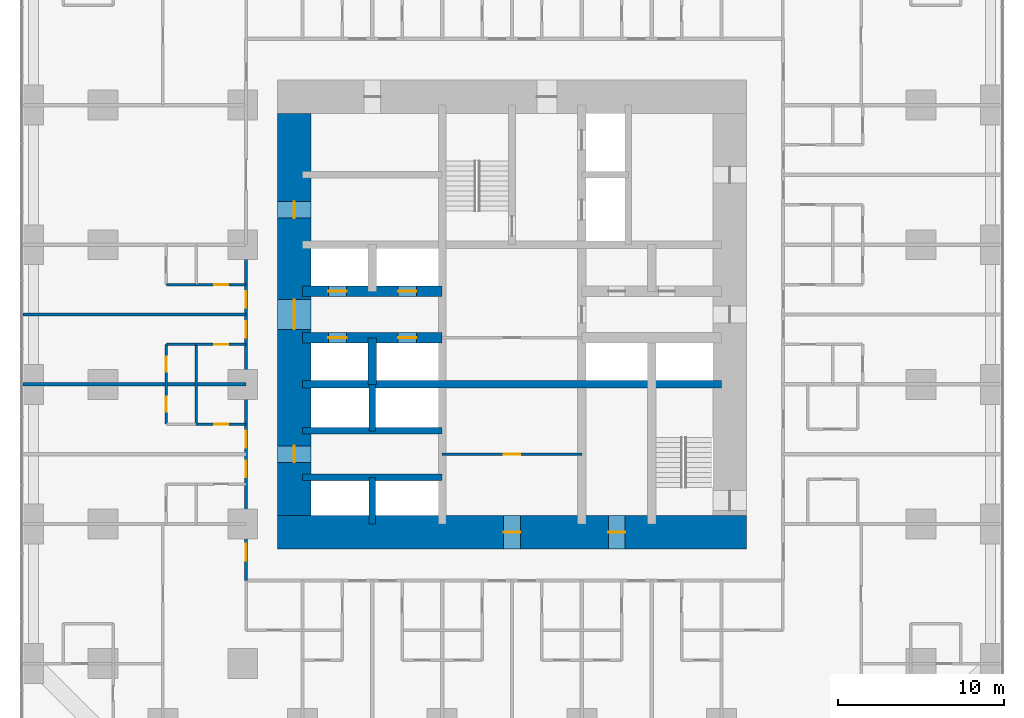
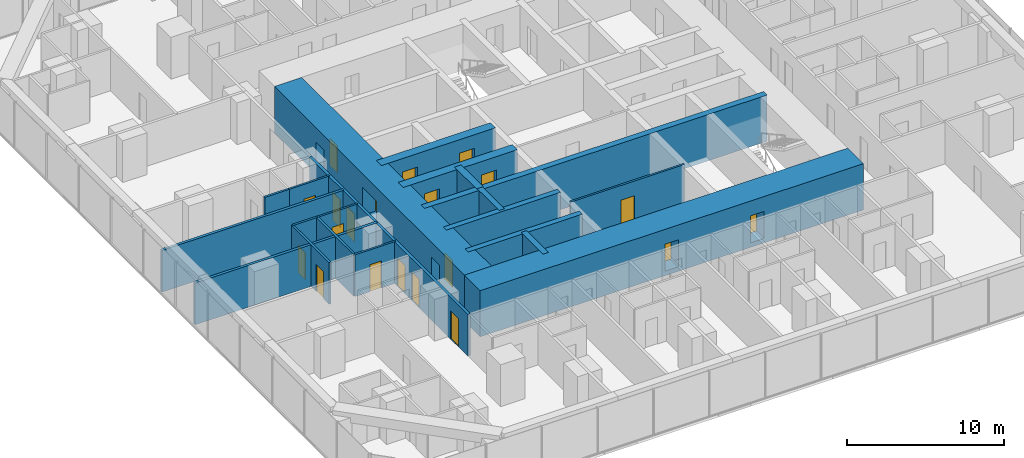
# One storey, part 12 of 18: 21 walls, 20 doors, 20 openings.
"""IFC4 building model written with IfcOpenShell, lengths in metres."""

from ifc_helpers import new_model, si_unit, direction, frame, frame_2d, origin, place, context, subcontext, project, spatial, rectangle, extrude, material, layer, layer_set, type_object, element, fill, save


model = new_model("IFC4")

# Units and contexts
model_context = context("Model", 3, precision=1e-05, world=origin(), true_north=direction((0.0, 1.0)))
body_context = subcontext(model_context, "Body", "Model", "MODEL_VIEW")
ifc_project = project(units=[si_unit("LENGTHUNIT", "METRE"), si_unit("AREAUNIT", "SQUARE_METRE"), si_unit("VOLUMEUNIT", "CUBIC_METRE"), si_unit("PLANEANGLEUNIT", "RADIAN"), si_unit("MASSUNIT", "GRAM", prefix="KILO")], contexts=[model_context])

# Site, building, storey
site_placement = place(None, origin())
site = spatial("IfcSite", under=ifc_project, at=site_placement, CompositionType="ELEMENT")
building_placement = place(site_placement, origin())
building = spatial("IfcBuilding", under=site, at=building_placement, Name="Dunama Terrace Hotel", CompositionType="ELEMENT")
storey_placement = place(building_placement, frame((0.0, 0.0, 27.0)))
storey = spatial("IfcBuildingStorey", under=building, at=storey_placement, Name="L05", CompositionType="ELEMENT", Elevation=27.0)

# Wall, opening, door
ifc_material_1 = material(Name="Gypsum board partition", Category="masonry")
ifc_layer_1 = layer(ifc_material_1, 0.14990234375)
ifc_layer_set_1 = layer_set([ifc_layer_1], Name="Bathroom partition 150")
wall_type_1 = type_object("IfcWallType", Name="Bathroom partition 150", PredefinedType="PARTITIONING", material=ifc_layer_set_1)
wall_1_placement = place(storey_placement, frame((10.39990234375, 22.800048828125, 0.0), z_axis=(0.0, 0.0, 1.0), x_axis=(1.0, 0.0, 0.0)))
wall_1 = element("IfcWall", 1, at=wall_1_placement, inside=storey, type_object=wall_type_1, Name="Bathroom partition 150 L05", PredefinedType="PARTITIONING", context=body_context, shape_type="SweptSolid", body=[
    extrude(rectangle(XDim=3.0, YDim=0.14990234375, at=frame_2d((1.5, 0.0))), origin(), (0.0, 0.0, 1.0), 3.25),
])
opening_1_placement = place(wall_1_placement, frame((1.074951171875, 0.0, 0.0)))
opening_1 = element("IfcOpeningElement", 2, at=opening_1_placement, cuts=wall_1, Name="Opening L05-065", PredefinedType="OPENING", context=body_context, shape_type="SweptSolid", body=[
    extrude(rectangle(XDim=0.85009765625, YDim=2.10009765625, at=frame_2d((0.425048828125, 1.050048828125))), frame((0.0, 0.0849609375, 0.0), z_axis=(0.0, -1.0, 0.0), x_axis=(1.0, 0.0, 0.0)), (0.0, 0.0, 1.0), 0.169921875),
])
ifc_material_2 = material(Name="Timber door with steel frame", Category="steel")
door_type_1 = type_object("IfcDoorType", Name="Bathroom door 850", OperationType="SINGLE_SWING_LEFT", PredefinedType="DOOR", material=ifc_material_2)
door_1_placement = place(opening_1_placement, origin())
door_1 = element("IfcDoor", 3, at=door_1_placement, inside=storey, type_object=door_type_1, Name="Door to en-suite bathroom L05-065, type D2", OperationType="SINGLE_SWING_RIGHT", OverallHeight=2.10009765625, OverallWidth=0.85009765625, PredefinedType="DOOR", context=body_context, shape_type="SweptSolid", body=[
    extrude(rectangle(XDim=0.85009765625, YDim=2.10009765625, at=frame_2d((0.425048828125, 1.050048828125))), frame((0.0, 0.02490234375, 0.0), z_axis=(0.0, -1.0, 0.0), x_axis=(1.0, 0.0, 0.0)), (0.0, 0.0, 1.0), 0.050048828125),
])
fill(opening_1, door_1)

wall_2_placement = place(storey_placement, frame((10.39990234375, 27.60009765625, 0.0), z_axis=(0.0, 0.0, 1.0), x_axis=(1.0, 0.0, 0.0)))
wall_2 = element("IfcWall", 4, at=wall_2_placement, inside=storey, type_object=wall_type_1, Name="Bathroom partition 150 L05", PredefinedType="PARTITIONING", context=body_context, shape_type="SweptSolid", body=[
    extrude(rectangle(XDim=3.0, YDim=0.14990234375, at=frame_2d((1.5, 0.0))), origin(), (0.0, 0.0, 1.0), 3.25),
])
opening_2_placement = place(wall_2_placement, frame((1.074951171875, 0.0, 0.0)))
opening_2 = element("IfcOpeningElement", 5, at=opening_2_placement, cuts=wall_2, Name="Opening L05-068", PredefinedType="OPENING", context=body_context, shape_type="SweptSolid", body=[
    extrude(rectangle(XDim=0.85009765625, YDim=2.10009765625, at=frame_2d((0.425048828125, 1.050048828125))), frame((0.0, 0.0849609375, 0.0), z_axis=(0.0, -1.0, 0.0), x_axis=(1.0, 0.0, 0.0)), (0.0, 0.0, 1.0), 0.169921875),
])
door_2_placement = place(opening_2_placement, frame((0.85009765625, 0.0, 0.0), z_axis=(0.0, 0.0, 1.0), x_axis=(-1.0, 0.0, 0.0)))
door_2 = element("IfcDoor", 6, at=door_2_placement, inside=storey, type_object=door_type_1, Name="Door to en-suite bathroom L05-068, type D2", OperationType="SINGLE_SWING_LEFT", OverallHeight=2.10009765625, OverallWidth=0.85009765625, PredefinedType="DOOR", context=body_context, shape_type="SweptSolid", body=[
    extrude(rectangle(XDim=0.85009765625, YDim=2.10009765625, at=frame_2d((0.425048828125, 1.050048828125))), frame((0.0, 0.025146484375, 0.0), z_axis=(0.0, -1.0, 0.0), x_axis=(1.0, 0.0, 0.0)), (0.0, 0.0, 1.0), 0.050048828125),
])
fill(opening_2, door_2)

wall_3_placement = place(storey_placement, frame((10.39990234375, 31.199951171875, 0.0), z_axis=(0.0, 0.0, 1.0), x_axis=(1.0, 0.0, 0.0)))
wall_3 = element("IfcWall", 7, at=wall_3_placement, inside=storey, type_object=wall_type_1, Name="Bathroom partition 150 L05", PredefinedType="PARTITIONING", context=body_context, shape_type="SweptSolid", body=[
    extrude(rectangle(XDim=3.0, YDim=0.14990234375, at=frame_2d((1.5, 0.0))), origin(), (0.0, 0.0, 1.0), 3.25),
])
opening_3_placement = place(wall_3_placement, frame((1.074951171875, 0.0, 0.0)))
opening_3 = element("IfcOpeningElement", 8, at=opening_3_placement, cuts=wall_3, Name="Opening L05-071", PredefinedType="OPENING", context=body_context, shape_type="SweptSolid", body=[
    extrude(rectangle(XDim=0.85009765625, YDim=2.10009765625, at=frame_2d((0.425048828125, 1.050048828125))), frame((0.0, 0.0849609375, 0.0), z_axis=(0.0, -1.0, 0.0), x_axis=(1.0, 0.0, 0.0)), (0.0, 0.0, 1.0), 0.169921875),
])
door_3_placement = place(opening_3_placement, origin())
door_3 = element("IfcDoor", 9, at=door_3_placement, inside=storey, type_object=door_type_1, Name="Door to en-suite bathroom L05-071, type D2", OperationType="SINGLE_SWING_RIGHT", OverallHeight=2.10009765625, OverallWidth=0.85009765625, PredefinedType="DOOR", context=body_context, shape_type="SweptSolid", body=[
    extrude(rectangle(XDim=0.85009765625, YDim=2.10009765625, at=frame_2d((0.425048828125, 1.050048828125))), frame((0.0, 0.02490234375, 0.0), z_axis=(0.0, -1.0, 0.0), x_axis=(1.0, 0.0, 0.0)), (0.0, 0.0, 1.0), 0.050048828125),
])
fill(opening_3, door_3)

# Walls
ifc_material_3 = material(Name="Concrete C50/60", Category="concrete")
ifc_layer_2 = layer(ifc_material_3, 0.39990234375)
ifc_layer_set_2 = layer_set([ifc_layer_2], Name="Core inner wall 400")
wall_type_2 = type_object("IfcWallType", Name="Core inner wall 400", PredefinedType="SHEAR", material=ifc_layer_set_2)
for number, where, z_axis, x_axis, name in (
    (10, (21.0, 16.800048828125, -0.35009765625), (0.0, 0.0, 1.0), (0.0, 1.0, 0.0), "Core inner wall 400 L05"),
    (11, (21.0, 22.39990234375, -0.35009765625), (0.0, 0.0, 1.0), (0.0, 1.0, 0.0), "Core inner wall 400 L05"),
):
    element("IfcWall", number, at=place(storey_placement, frame(where, z_axis=z_axis, x_axis=x_axis)), inside=storey, type_object=wall_type_2, Name=name, PredefinedType="SHEAR", context=body_context, shape_type="SweptSolid", body=[
        extrude(rectangle(XDim=2.800048828125, YDim=0.39990234375, at=frame_2d((1.39990234375, 0.0))), origin(), (0.0, 0.0, 1.0), 3.60009765625),
    ])
for number, where, z_axis, x_axis, name in (
    (12, (16.800048828125, 19.60009765625, -0.35009765625), (0.0, 0.0, 1.0), (1.0, 0.0, 0.0), "Core inner wall 400 L05"),
    (13, (16.800048828125, 22.39990234375, -0.35009765625), (0.0, 0.0, 1.0), (1.0, 0.0, 0.0), "Core inner wall 400 L05"),
):
    element("IfcWall", number, at=place(storey_placement, frame(where, z_axis=z_axis, x_axis=x_axis)), inside=storey, type_object=wall_type_2, Name=name, PredefinedType="SHEAR", context=body_context, shape_type="SweptSolid", body=[
        extrude(rectangle(XDim=8.39990234375, YDim=0.39990234375, at=frame_2d((4.199951171875, 0.0))), origin(), (0.0, 0.0, 1.0), 3.60009765625),
    ])
ifc_material_4 = material(Name="Concrete C50/60", Category="concrete")
ifc_layer_3 = layer(ifc_material_4, 0.449951171875)
ifc_layer_set_3 = layer_set([ifc_layer_3], Name="Core inner wall 450")
wall_type_3 = type_object("IfcWallType", Name="Core inner wall 450", PredefinedType="SHEAR", material=ifc_layer_set_3)
wall_4_placement = place(storey_placement, frame((16.800048828125, 25.199951171875, -0.35009765625), z_axis=(0.0, 0.0, 1.0), x_axis=(1.0, 0.0, 0.0)))
element("IfcWall", 14, at=wall_4_placement, inside=storey, type_object=wall_type_3, Name="Core inner wall 450 L05", PredefinedType="SHEAR", context=body_context, shape_type="SweptSolid", body=[
    extrude(rectangle(XDim=25.199951171875, YDim=0.449951171875, at=frame_2d((12.60009765625, 0.0))), origin(), (0.0, 0.0, 1.0), 3.60009765625),
])
ifc_material_5 = material(Name="Concrete C50/60", Category="concrete")
ifc_layer_4 = layer(ifc_material_5, 0.5)
ifc_layer_set_4 = layer_set([ifc_layer_4], Name="Core inner wall 500")
wall_type_4 = type_object("IfcWallType", Name="Core inner wall 500", PredefinedType="SHEAR", material=ifc_layer_set_4)
wall_5_placement = place(storey_placement, frame((21.0, 25.199951171875, -0.35009765625), z_axis=(0.0, 0.0, 1.0), x_axis=(0.0, 1.0, 0.0)))
element("IfcWall", 15, at=wall_5_placement, inside=storey, type_object=wall_type_4, Name="Core inner wall 500 L05", PredefinedType="SHEAR", context=body_context, shape_type="SweptSolid", body=[
    extrude(rectangle(XDim=2.800048828125, YDim=0.5, at=frame_2d((1.39990234375, 0.0))), origin(), (0.0, 0.0, 1.0), 3.60009765625),
])

# Wall, openings, doors
ifc_material_6 = material(Name="Concrete C50/60", Category="concrete")
ifc_layer_5 = layer(ifc_material_6, 0.64990234375)
ifc_layer_set_5 = layer_set([ifc_layer_5], Name="Core inner wall 650")
wall_type_5 = type_object("IfcWallType", Name="Core inner wall 650", PredefinedType="SHEAR", material=ifc_layer_set_5)
wall_6_placement = place(storey_placement, frame((16.800048828125, 28.0, -0.35009765625), z_axis=(0.0, 0.0, 1.0), x_axis=(1.0, 0.0, 0.0)))
wall_6 = element("IfcWall", 16, at=wall_6_placement, inside=storey, type_object=wall_type_5, Name="Core inner wall 650 L05", PredefinedType="SHEAR", context=body_context, shape_type="SweptSolid", body=[
    extrude(rectangle(XDim=8.39990234375, YDim=0.64990234375, at=frame_2d((4.199951171875, 0.0))), origin(), (0.0, 0.0, 1.0), 3.60009765625),
])
opening_4_placement = place(wall_6_placement, frame((1.550048828125, 0.0, 0.35009765625)))
opening_4 = element("IfcOpeningElement", 17, at=opening_4_placement, cuts=wall_6, Name="Opening L05-003", PredefinedType="OPENING", context=body_context, shape_type="SweptSolid", body=[
    extrude(rectangle(XDim=1.10009765625, YDim=2.199951171875, at=frame_2d((0.550048828125, 1.10009765625))), frame((0.0, 0.3349609375, 0.0), z_axis=(0.0, -1.0, 0.0), x_axis=(1.0, 0.0, 0.0)), (0.0, 0.0, 1.0), 0.669921875),
])
opening_5_placement = place(wall_6_placement, frame((5.75, 0.0, 0.35009765625)))
opening_5 = element("IfcOpeningElement", 18, at=opening_5_placement, cuts=wall_6, Name="Opening L05-004", PredefinedType="OPENING", context=body_context, shape_type="SweptSolid", body=[
    extrude(rectangle(XDim=1.10009765625, YDim=2.199951171875, at=frame_2d((0.550048828125, 1.10009765625))), frame((0.0, 0.3349609375, 0.0), z_axis=(0.0, -1.0, 0.0), x_axis=(1.0, 0.0, 0.0)), (0.0, 0.0, 1.0), 0.669921875),
])
ifc_material_7 = material(Name="Stainless steel lift door", Category="steel")
door_type_2 = type_object("IfcDoorType", Name="Lift landing door 1100", OperationType="DOUBLE_DOOR_SLIDING", PredefinedType="DOOR", material=ifc_material_7)
door_4_placement = place(opening_4_placement, origin())
door_4 = element("IfcDoor", 19, at=door_4_placement, inside=storey, type_object=door_type_2, Name="Landing door PA1 L05-003, type LD1", OperationType="DOUBLE_DOOR_SLIDING", OverallHeight=2.199951171875, OverallWidth=1.10009765625, PredefinedType="DOOR", context=body_context, shape_type="SweptSolid", body=[
    extrude(rectangle(XDim=1.10009765625, YDim=2.199951171875, at=frame_2d((0.550048828125, 1.10009765625))), frame((0.0, 0.02490234375, 0.0), z_axis=(0.0, -1.0, 0.0), x_axis=(1.0, 0.0, 0.0)), (0.0, 0.0, 1.0), 0.050048828125),
])
fill(opening_4, door_4)
door_5_placement = place(opening_5_placement, origin())
door_5 = element("IfcDoor", 20, at=door_5_placement, inside=storey, type_object=door_type_2, Name="Landing door PA2 L05-004, type LD1", OperationType="DOUBLE_DOOR_SLIDING", OverallHeight=2.199951171875, OverallWidth=1.10009765625, PredefinedType="DOOR", context=body_context, shape_type="SweptSolid", body=[
    extrude(rectangle(XDim=1.10009765625, YDim=2.199951171875, at=frame_2d((0.550048828125, 1.10009765625))), frame((0.0, 0.02490234375, 0.0), z_axis=(0.0, -1.0, 0.0), x_axis=(1.0, 0.0, 0.0)), (0.0, 0.0, 1.0), 0.050048828125),
])
fill(opening_5, door_5)

wall_7_placement = place(storey_placement, frame((16.800048828125, 30.800048828125, -0.35009765625), z_axis=(0.0, 0.0, 1.0), x_axis=(1.0, 0.0, 0.0)))
wall_7 = element("IfcWall", 21, at=wall_7_placement, inside=storey, type_object=wall_type_5, Name="Core inner wall 650 L05", PredefinedType="SHEAR", context=body_context, shape_type="SweptSolid", body=[
    extrude(rectangle(XDim=8.39990234375, YDim=0.64990234375, at=frame_2d((4.199951171875, 0.0))), origin(), (0.0, 0.0, 1.0), 3.60009765625),
])
opening_6_placement = place(wall_7_placement, frame((1.550048828125, 0.0, 0.35009765625)))
opening_6 = element("IfcOpeningElement", 22, at=opening_6_placement, cuts=wall_7, Name="Opening L05-005", PredefinedType="OPENING", context=body_context, shape_type="SweptSolid", body=[
    extrude(rectangle(XDim=1.10009765625, YDim=2.199951171875, at=frame_2d((0.550048828125, 1.10009765625))), frame((0.0, 0.3349609375, 0.0), z_axis=(0.0, -1.0, 0.0), x_axis=(1.0, 0.0, 0.0)), (0.0, 0.0, 1.0), 0.669921875),
])
opening_7_placement = place(wall_7_placement, frame((5.75, 0.0, 0.35009765625)))
opening_7 = element("IfcOpeningElement", 23, at=opening_7_placement, cuts=wall_7, Name="Opening L05-006", PredefinedType="OPENING", context=body_context, shape_type="SweptSolid", body=[
    extrude(rectangle(XDim=1.10009765625, YDim=2.199951171875, at=frame_2d((0.550048828125, 1.10009765625))), frame((0.0, 0.3349609375, 0.0), z_axis=(0.0, -1.0, 0.0), x_axis=(1.0, 0.0, 0.0)), (0.0, 0.0, 1.0), 0.669921875),
])
door_6_placement = place(opening_6_placement, origin())
door_6 = element("IfcDoor", 24, at=door_6_placement, inside=storey, type_object=door_type_2, Name="Landing door PA3 L05-005, type LD1", OperationType="DOUBLE_DOOR_SLIDING", OverallHeight=2.199951171875, OverallWidth=1.10009765625, PredefinedType="DOOR", context=body_context, shape_type="SweptSolid", body=[
    extrude(rectangle(XDim=1.10009765625, YDim=2.199951171875, at=frame_2d((0.550048828125, 1.10009765625))), frame((0.0, 0.02490234375, 0.0), z_axis=(0.0, -1.0, 0.0), x_axis=(1.0, 0.0, 0.0)), (0.0, 0.0, 1.0), 0.050048828125),
])
fill(opening_6, door_6)
door_7_placement = place(opening_7_placement, origin())
door_7 = element("IfcDoor", 25, at=door_7_placement, inside=storey, type_object=door_type_2, Name="Landing door PA4 L05-006, type LD1", OperationType="DOUBLE_DOOR_SLIDING", OverallHeight=2.199951171875, OverallWidth=1.10009765625, PredefinedType="DOOR", context=body_context, shape_type="SweptSolid", body=[
    extrude(rectangle(XDim=1.10009765625, YDim=2.199951171875, at=frame_2d((0.550048828125, 1.10009765625))), frame((0.0, 0.02490234375, 0.0), z_axis=(0.0, -1.0, 0.0), x_axis=(1.0, 0.0, 0.0)), (0.0, 0.0, 1.0), 0.050048828125),
])
fill(opening_7, door_7)

ifc_material_8 = material(Name="Concrete C60/75", Category="concrete")
ifc_layer_6 = layer(ifc_material_8, 2.0)
ifc_layer_set_6 = layer_set([ifc_layer_6], Name="Core wall 2000")
wall_type_6 = type_object("IfcWallType", Name="Core wall 2000", PredefinedType="SHEAR", material=ifc_layer_set_6)
wall_8_placement = place(storey_placement, frame((15.300048828125, 16.300048828125, -0.35009765625), z_axis=(0.0, 0.0, 1.0), x_axis=(1.0, 0.0, 0.0)))
wall_8 = element("IfcWall", 26, at=wall_8_placement, inside=storey, type_object=wall_type_6, Name="Core wall south L05", PredefinedType="SHEAR", context=body_context, shape_type="SweptSolid", body=[
    extrude(rectangle(XDim=28.199951171875, YDim=2.0, at=frame_2d((14.10009765625, 0.0))), origin(), (0.0, 0.0, 1.0), 3.60009765625),
])
opening_8_placement = place(wall_8_placement, frame((13.60009765625, 0.0, 0.35009765625)))
opening_8 = element("IfcOpeningElement", 27, at=opening_8_placement, cuts=wall_8, Name="Opening L05-109", PredefinedType="OPENING", context=body_context, shape_type="SweptSolid", body=[
    extrude(rectangle(XDim=1.0, YDim=2.10009765625, at=frame_2d((0.5, 1.050048828125))), frame((0.0, 1.010009765625, 0.0), z_axis=(0.0, -1.0, 0.0), x_axis=(1.0, 0.0, 0.0)), (0.0, 0.0, 1.0), 2.02001953125),
])
opening_9_placement = place(wall_8_placement, frame((19.89990234375, 0.0, 0.35009765625)))
opening_9 = element("IfcOpeningElement", 28, at=opening_9_placement, cuts=wall_8, Name="Opening L05-111", PredefinedType="OPENING", context=body_context, shape_type="SweptSolid", body=[
    extrude(rectangle(XDim=1.0, YDim=2.10009765625, at=frame_2d((0.5, 1.050048828125))), frame((0.0, 1.010009765625, 0.0), z_axis=(0.0, -1.0, 0.0), x_axis=(1.0, 0.0, 0.0)), (0.0, 0.0, 1.0), 2.02001953125),
])
ifc_material_9 = material(Name="Timber door with steel frame", Category="steel")
door_type_3 = type_object("IfcDoorType", Name="Service door 1000", OperationType="SINGLE_SWING_LEFT", PredefinedType="DOOR", material=ifc_material_9)
door_8_placement = place(opening_8_placement, origin())
door_8 = element("IfcDoor", 29, at=door_8_placement, inside=storey, type_object=door_type_3, Name="Door to corridor air handling room L05-109, type D7", OperationType="SINGLE_SWING_LEFT", OverallHeight=2.10009765625, OverallWidth=1.0, PredefinedType="DOOR", context=body_context, shape_type="SweptSolid", body=[
    extrude(rectangle(XDim=1.0, YDim=2.10009765625, at=frame_2d((0.5, 1.050048828125))), frame((0.0, 0.02490234375, 0.0), z_axis=(0.0, -1.0, 0.0), x_axis=(1.0, 0.0, 0.0)), (0.0, 0.0, 1.0), 0.050048828125),
])
fill(opening_8, door_8)
door_9_placement = place(opening_9_placement, origin())
door_9 = element("IfcDoor", 30, at=door_9_placement, inside=storey, type_object=door_type_3, Name="Door to water riser room L05-111, type D7", OperationType="SINGLE_SWING_RIGHT", OverallHeight=2.10009765625, OverallWidth=1.0, PredefinedType="DOOR", context=body_context, shape_type="SweptSolid", body=[
    extrude(rectangle(XDim=1.0, YDim=2.10009765625, at=frame_2d((0.5, 1.050048828125))), frame((0.0, 0.02490234375, 0.0), z_axis=(0.0, -1.0, 0.0), x_axis=(1.0, 0.0, 0.0)), (0.0, 0.0, 1.0), 0.050048828125),
])
fill(opening_9, door_9)

wall_9_placement = place(storey_placement, frame((16.300048828125, 41.5, -0.35009765625), z_axis=(0.0, 0.0, 1.0), x_axis=(0.0, -1.0, 0.0)))
wall_9 = element("IfcWall", 31, at=wall_9_placement, inside=storey, type_object=wall_type_6, Name="Core wall west L05", PredefinedType="SHEAR", context=body_context, shape_type="SweptSolid", body=[
    extrude(rectangle(XDim=24.199951171875, YDim=2.0, at=frame_2d((12.10009765625, 0.0))), origin(), (0.0, 0.0, 1.0), 3.60009765625),
])
opening_10_placement = place(wall_9_placement, frame((11.199951171875, 0.0, 0.35009765625)))
opening_10 = element("IfcOpeningElement", 32, at=opening_10_placement, cuts=wall_9, Name="Opening L05-098", PredefinedType="OPENING", context=body_context, shape_type="SweptSolid", body=[
    extrude(rectangle(XDim=1.800048828125, YDim=2.199951171875, at=frame_2d((0.89990234375, 1.10009765625))), frame((0.0, 1.010009765625, 0.0), z_axis=(0.0, -1.0, 0.0), x_axis=(1.0, 0.0, 0.0)), (0.0, 0.0, 1.0), 2.02001953125),
])
opening_11_placement = place(wall_9_placement, frame((20.0, 0.0, 0.35009765625)))
opening_11 = element("IfcOpeningElement", 33, at=opening_11_placement, cuts=wall_9, Name="Opening L05-099", PredefinedType="OPENING", context=body_context, shape_type="SweptSolid", body=[
    extrude(rectangle(XDim=1.0, YDim=2.10009765625, at=frame_2d((0.5, 1.050048828125))), frame((0.0, 1.010009765625, 0.0), z_axis=(0.0, -1.0, 0.0), x_axis=(1.0, 0.0, 0.0)), (0.0, 0.0, 1.0), 2.02001953125),
])
opening_12_placement = place(wall_9_placement, frame((5.300048828125, 0.0, 0.35009765625)))
opening_12 = element("IfcOpeningElement", 34, at=opening_12_placement, cuts=wall_9, Name="Opening L05-100", PredefinedType="OPENING", context=body_context, shape_type="SweptSolid", body=[
    extrude(rectangle(XDim=1.0, YDim=2.10009765625, at=frame_2d((0.5, 1.050048828125))), frame((0.0, 1.010009765625, 0.0), z_axis=(0.0, -1.0, 0.0), x_axis=(1.0, 0.0, 0.0)), (0.0, 0.0, 1.0), 2.02001953125),
])
ifc_material_10 = material(Name="Timber door with steel frame", Category="steel")
door_type_4 = type_object("IfcDoorType", Name="Lift lobby double door 1800", OperationType="DOUBLE_DOOR_DOUBLE_SWING", PredefinedType="DOOR", material=ifc_material_10)
door_10_placement = place(opening_10_placement, origin())
door_10 = element("IfcDoor", 35, at=door_10_placement, inside=storey, type_object=door_type_4, Name="Door to lift lobby L05-098, type D3", OperationType="DOUBLE_DOOR_DOUBLE_SWING", OverallHeight=2.199951171875, OverallWidth=1.800048828125, PredefinedType="DOOR", context=body_context, shape_type="SweptSolid", body=[
    extrude(rectangle(XDim=1.800048828125, YDim=2.199951171875, at=frame_2d((0.89990234375, 1.10009765625))), frame((0.0, 0.02490234375, 0.0), z_axis=(0.0, -1.0, 0.0), x_axis=(1.0, 0.0, 0.0)), (0.0, 0.0, 1.0), 0.050048828125),
])
fill(opening_10, door_10)
door_11_placement = place(opening_11_placement, origin())
door_11 = element("IfcDoor", 36, at=door_11_placement, inside=storey, type_object=door_type_3, Name="Door to service lobby L05-099, type D7", OperationType="SINGLE_SWING_LEFT", OverallHeight=2.10009765625, OverallWidth=1.0, PredefinedType="DOOR", context=body_context, shape_type="SweptSolid", body=[
    extrude(rectangle(XDim=1.0, YDim=2.10009765625, at=frame_2d((0.5, 1.050048828125))), frame((0.0, 0.02490234375, 0.0), z_axis=(0.0, -1.0, 0.0), x_axis=(1.0, 0.0, 0.0)), (0.0, 0.0, 1.0), 0.050048828125),
])
fill(opening_11, door_11)
door_12_placement = place(opening_12_placement, origin())
door_12 = element("IfcDoor", 37, at=door_12_placement, inside=storey, type_object=door_type_3, Name="Door to electrical room L05-100, type D7", OperationType="SINGLE_SWING_RIGHT", OverallHeight=2.10009765625, OverallWidth=1.0, PredefinedType="DOOR", context=body_context, shape_type="SweptSolid", body=[
    extrude(rectangle(XDim=1.0, YDim=2.10009765625, at=frame_2d((0.5, 1.050048828125))), frame((0.0, 0.02490234375, 0.0), z_axis=(0.0, -1.0, 0.0), x_axis=(1.0, 0.0, 0.0)), (0.0, 0.0, 1.0), 0.050048828125),
])
fill(opening_12, door_12)

ifc_material_11 = material(Name="Concrete blockwork", Category="masonry")
ifc_layer_7 = layer(ifc_material_11, 0.199951171875)
ifc_layer_set_7 = layer_set([ifc_layer_7], Name="Corridor partition 200")
wall_type_7 = type_object("IfcWallType", Name="Corridor partition 200", PredefinedType="PARTITIONING", material=ifc_layer_set_7)
wall_10_placement = place(storey_placement, frame((13.39990234375, 13.39990234375, 0.0), z_axis=(0.0, 0.0, 1.0), x_axis=(0.0, 1.0, 0.0)))
wall_10 = element("IfcWall", 38, at=wall_10_placement, inside=storey, type_object=wall_type_7, Name="Corridor partition 200 L05", PredefinedType="PARTITIONING", context=body_context, shape_type="SweptSolid", body=[
    extrude(rectangle(XDim=20.2001953125, YDim=0.199951171875, at=frame_2d((10.10009765625, 0.0))), origin(), (0.0, 0.0, 1.0), 3.25),
])
opening_13_placement = place(wall_10_placement, frame((6.199951171875, 0.0, 0.0)))
opening_13 = element("IfcOpeningElement", 39, at=opening_13_placement, cuts=wall_10, Name="Opening L05-061", PredefinedType="OPENING", context=body_context, shape_type="SweptSolid", body=[
    extrude(rectangle(XDim=1.0, YDim=2.199951171875, at=frame_2d((0.5, 1.10009765625))), frame((0.0, 0.10986328125, 0.0), z_axis=(0.0, -1.0, 0.0), x_axis=(1.0, 0.0, 0.0)), (0.0, 0.0, 1.0), 0.219970703125),
])
opening_14_placement = place(wall_10_placement, frame((8.0, 0.0, 0.0)))
opening_14 = element("IfcOpeningElement", 40, at=opening_14_placement, cuts=wall_10, Name="Opening L05-064", PredefinedType="OPENING", context=body_context, shape_type="SweptSolid", body=[
    extrude(rectangle(XDim=1.0, YDim=2.199951171875, at=frame_2d((0.5, 1.10009765625))), frame((0.0, 0.10986328125, 0.0), z_axis=(0.0, -1.0, 0.0), x_axis=(1.0, 0.0, 0.0)), (0.0, 0.0, 1.0), 0.219970703125),
])
opening_15_placement = place(wall_10_placement, frame((14.60009765625, 0.0, 0.0)))
opening_15 = element("IfcOpeningElement", 41, at=opening_15_placement, cuts=wall_10, Name="Opening L05-067", PredefinedType="OPENING", context=body_context, shape_type="SweptSolid", body=[
    extrude(rectangle(XDim=1.0, YDim=2.199951171875, at=frame_2d((0.5, 1.10009765625))), frame((0.0, 0.10986328125, 0.0), z_axis=(0.0, -1.0, 0.0), x_axis=(1.0, 0.0, 0.0)), (0.0, 0.0, 1.0), 0.219970703125),
])
opening_16_placement = place(wall_10_placement, frame((16.39990234375, 0.0, 0.0)))
opening_16 = element("IfcOpeningElement", 42, at=opening_16_placement, cuts=wall_10, Name="Opening L05-070", PredefinedType="OPENING", context=body_context, shape_type="SweptSolid", body=[
    extrude(rectangle(XDim=1.0, YDim=2.199951171875, at=frame_2d((0.5, 1.10009765625))), frame((0.0, 0.10986328125, 0.0), z_axis=(0.0, -1.0, 0.0), x_axis=(1.0, 0.0, 0.0)), (0.0, 0.0, 1.0), 0.219970703125),
])
opening_17_placement = place(wall_10_placement, frame((1.199951171875, 0.0, 0.0)))
opening_17 = element("IfcOpeningElement", 43, at=opening_17_placement, cuts=wall_10, Name="Opening L05-074", PredefinedType="OPENING", context=body_context, shape_type="SweptSolid", body=[
    extrude(rectangle(XDim=1.0, YDim=2.199951171875, at=frame_2d((0.5, 1.10009765625))), frame((0.0, 0.10986328125, 0.0), z_axis=(0.0, -1.0, 0.0), x_axis=(1.0, 0.0, 0.0)), (0.0, 0.0, 1.0), 0.219970703125),
])
ifc_material_12 = material(Name="Timber door with steel frame", Category="steel")
door_type_5 = type_object("IfcDoorType", Name="Guest room door 1000", OperationType="SINGLE_SWING_LEFT", PredefinedType="DOOR", material=ifc_material_12)
door_13_placement = place(opening_13_placement, origin())
door_13 = element("IfcDoor", 44, at=door_13_placement, inside=storey, type_object=door_type_5, Name="Door to deluxe room L05-061, type D1", OperationType="SINGLE_SWING_RIGHT", OverallHeight=2.199951171875, OverallWidth=1.0, PredefinedType="DOOR", context=body_context, shape_type="SweptSolid", body=[
    extrude(rectangle(XDim=1.0, YDim=2.199951171875, at=frame_2d((0.5, 1.10009765625))), frame((0.0, 0.02490234375, 0.0), z_axis=(0.0, -1.0, 0.0), x_axis=(1.0, 0.0, 0.0)), (0.0, 0.0, 1.0), 0.050048828125),
])
fill(opening_13, door_13)
door_14_placement = place(opening_14_placement, origin())
door_14 = element("IfcDoor", 45, at=door_14_placement, inside=storey, type_object=door_type_5, Name="Door to deluxe room L05-064, type D1", OperationType="SINGLE_SWING_LEFT", OverallHeight=2.199951171875, OverallWidth=1.0, PredefinedType="DOOR", context=body_context, shape_type="SweptSolid", body=[
    extrude(rectangle(XDim=1.0, YDim=2.199951171875, at=frame_2d((0.5, 1.10009765625))), frame((0.0, 0.02490234375, 0.0), z_axis=(0.0, -1.0, 0.0), x_axis=(1.0, 0.0, 0.0)), (0.0, 0.0, 1.0), 0.050048828125),
])
fill(opening_14, door_14)
door_15_placement = place(opening_15_placement, origin())
door_15 = element("IfcDoor", 46, at=door_15_placement, inside=storey, type_object=door_type_5, Name="Door to deluxe room L05-067, type D1", OperationType="SINGLE_SWING_RIGHT", OverallHeight=2.199951171875, OverallWidth=1.0, PredefinedType="DOOR", context=body_context, shape_type="SweptSolid", body=[
    extrude(rectangle(XDim=1.0, YDim=2.199951171875, at=frame_2d((0.5, 1.10009765625))), frame((0.0, 0.02490234375, 0.0), z_axis=(0.0, -1.0, 0.0), x_axis=(1.0, 0.0, 0.0)), (0.0, 0.0, 1.0), 0.050048828125),
])
fill(opening_15, door_15)
door_16_placement = place(opening_16_placement, origin())
door_16 = element("IfcDoor", 47, at=door_16_placement, inside=storey, type_object=door_type_5, Name="Door to deluxe room L05-070, type D1", OperationType="SINGLE_SWING_LEFT", OverallHeight=2.199951171875, OverallWidth=1.0, PredefinedType="DOOR", context=body_context, shape_type="SweptSolid", body=[
    extrude(rectangle(XDim=1.0, YDim=2.199951171875, at=frame_2d((0.5, 1.10009765625))), frame((0.0, 0.02490234375, 0.0), z_axis=(0.0, -1.0, 0.0), x_axis=(1.0, 0.0, 0.0)), (0.0, 0.0, 1.0), 0.050048828125),
])
fill(opening_16, door_16)
door_17_placement = place(opening_17_placement, origin())
door_17 = element("IfcDoor", 48, at=door_17_placement, inside=storey, type_object=door_type_5, Name="Door to corner suite living room L05-074, type D1", OperationType="SINGLE_SWING_RIGHT", OverallHeight=2.199951171875, OverallWidth=1.0, PredefinedType="DOOR", context=body_context, shape_type="SweptSolid", body=[
    extrude(rectangle(XDim=1.0, YDim=2.199951171875, at=frame_2d((0.5, 1.10009765625))), frame((0.0, 0.02490234375, 0.0), z_axis=(0.0, -1.0, 0.0), x_axis=(1.0, 0.0, 0.0)), (0.0, 0.0, 1.0), 0.050048828125),
])
fill(opening_17, door_17)

# Walls
ifc_material_13 = material(Name="Concrete blockwork", Category="masonry")
ifc_layer_8 = layer(ifc_material_13, 0.199951171875)
ifc_layer_set_8 = layer_set([ifc_layer_8], Name="Party wall 200")
wall_type_8 = type_object("IfcWallType", Name="Party wall 200", PredefinedType="PARTITIONING", material=ifc_layer_set_8)
for number, where, z_axis, x_axis, name in (
    (49, (-0.008056640625, 25.199951171875, 0.0), (0.0, 0.0, 1.0), (1.0, 0.0, 0.0), "Party wall 200 L05"),
    (50, (-0.008056640625, 29.39990234375, 0.0), (0.0, 0.0, 1.0), (1.0, 0.0, 0.0), "Party wall 200 L05"),
):
    element("IfcWall", number, at=place(storey_placement, frame(where, z_axis=z_axis, x_axis=x_axis)), inside=storey, type_object=wall_type_8, Name=name, PredefinedType="PARTITIONING", context=body_context, shape_type="SweptSolid", body=[
        extrude(rectangle(XDim=13.407958984375, YDim=0.199951171875, at=frame_2d((6.7041015625, 0.0))), origin(), (0.0, 0.0, 1.0), 3.25),
    ])

# Wall, openings, doors
ifc_material_14 = material(Name="Gypsum board partition", Category="masonry")
ifc_layer_9 = layer(ifc_material_14, 0.14990234375)
ifc_layer_set_9 = layer_set([ifc_layer_9], Name="Room partition 150")
wall_type_9 = type_object("IfcWallType", Name="Room partition 150", PredefinedType="PARTITIONING", material=ifc_layer_set_9)
wall_11_placement = place(storey_placement, frame((8.60009765625, 22.800048828125, 0.0), z_axis=(0.0, 0.0, 1.0), x_axis=(0.0, 1.0, 0.0)))
wall_11 = element("IfcWall", 51, at=wall_11_placement, inside=storey, type_object=wall_type_9, Name="Room partition 150 L05", PredefinedType="PARTITIONING", context=body_context, shape_type="SweptSolid", body=[
    extrude(rectangle(XDim=4.800048828125, YDim=0.14990234375, at=frame_2d((2.39990234375, 0.0))), origin(), (0.0, 0.0, 1.0), 3.25),
])
opening_18_placement = place(wall_11_placement, frame((0.75, 0.0, 0.0)))
opening_18 = element("IfcOpeningElement", 52, at=opening_18_placement, cuts=wall_11, Name="Opening L05-066", PredefinedType="OPENING", context=body_context, shape_type="SweptSolid", body=[
    extrude(rectangle(XDim=0.89990234375, YDim=2.10009765625, at=frame_2d((0.449951171875, 1.050048828125))), frame((0.0, 0.0849609375, 0.0), z_axis=(0.0, -1.0, 0.0), x_axis=(1.0, 0.0, 0.0)), (0.0, 0.0, 1.0), 0.169921875),
])
opening_19_placement = place(wall_11_placement, frame((3.14990234375, 0.0, 0.0)))
opening_19 = element("IfcOpeningElement", 53, at=opening_19_placement, cuts=wall_11, Name="Opening L05-069", PredefinedType="OPENING", context=body_context, shape_type="SweptSolid", body=[
    extrude(rectangle(XDim=0.89990234375, YDim=2.10009765625, at=frame_2d((0.449951171875, 1.050048828125))), frame((0.0, 0.0849609375, 0.0), z_axis=(0.0, -1.0, 0.0), x_axis=(1.0, 0.0, 0.0)), (0.0, 0.0, 1.0), 0.169921875),
])
ifc_material_15 = material(Name="Timber door with steel frame", Category="steel")
door_type_6 = type_object("IfcDoorType", Name="Suite internal door 900", OperationType="SINGLE_SWING_LEFT", PredefinedType="DOOR", material=ifc_material_15)
door_18_placement = place(opening_18_placement, frame((0.89990234375, 0.0, 0.0), z_axis=(0.0, 0.0, 1.0), x_axis=(-1.0, 0.0, 0.0)))
door_18 = element("IfcDoor", 54, at=door_18_placement, inside=storey, type_object=door_type_6, Name="Door to walk-in wardrobe L05-066, type D16", OperationType="SINGLE_SWING_LEFT", OverallHeight=2.10009765625, OverallWidth=0.89990234375, PredefinedType="DOOR", context=body_context, shape_type="SweptSolid", body=[
    extrude(rectangle(XDim=0.89990234375, YDim=2.10009765625, at=frame_2d((0.449951171875, 1.050048828125))), frame((0.0, 0.025146484375, 0.0), z_axis=(0.0, -1.0, 0.0), x_axis=(1.0, 0.0, 0.0)), (0.0, 0.0, 1.0), 0.050048828125),
])
fill(opening_18, door_18)
door_19_placement = place(opening_19_placement, frame((0.89990234375, 0.0, 0.0), z_axis=(0.0, 0.0, 1.0), x_axis=(-1.0, 0.0, 0.0)))
door_19 = element("IfcDoor", 55, at=door_19_placement, inside=storey, type_object=door_type_6, Name="Door to walk-in wardrobe L05-069, type D16", OperationType="SINGLE_SWING_RIGHT", OverallHeight=2.10009765625, OverallWidth=0.89990234375, PredefinedType="DOOR", context=body_context, shape_type="SweptSolid", body=[
    extrude(rectangle(XDim=0.89990234375, YDim=2.10009765625, at=frame_2d((0.449951171875, 1.050048828125))), frame((0.0, 0.025146484375, 0.0), z_axis=(0.0, -1.0, 0.0), x_axis=(1.0, 0.0, 0.0)), (0.0, 0.0, 1.0), 0.050048828125),
])
fill(opening_19, door_19)

# Wall
wall_12_placement = place(storey_placement, frame((10.39990234375, 22.800048828125, 0.0), z_axis=(0.0, 0.0, 1.0), x_axis=(0.0, 1.0, 0.0)))
element("IfcWall", 56, at=wall_12_placement, inside=storey, type_object=wall_type_9, Name="Room partition 150 L05", PredefinedType="PARTITIONING", context=body_context, shape_type="SweptSolid", body=[
    extrude(rectangle(XDim=4.800048828125, YDim=0.14990234375, at=frame_2d((2.39990234375, 0.0))), origin(), (0.0, 0.0, 1.0), 3.25),
])

# Wall, opening, door
wall_13_placement = place(storey_placement, frame((25.199951171875, 21.0, 0.0), z_axis=(0.0, 0.0, 1.0), x_axis=(1.0, 0.0, 0.0)))
wall_13 = element("IfcWall", 57, at=wall_13_placement, inside=storey, type_object=wall_type_9, Name="Room partition 150 L05", PredefinedType="PARTITIONING", context=body_context, shape_type="SweptSolid", body=[
    extrude(rectangle(XDim=8.400146484375, YDim=0.14990234375, at=frame_2d((4.2001953125, 0.0))), origin(), (0.0, 0.0, 1.0), 3.25),
])
opening_20_placement = place(wall_13_placement, frame((3.699951171875, 0.0, 0.0)))
opening_20 = element("IfcOpeningElement", 58, at=opening_20_placement, cuts=wall_13, Name="Opening L05-110", PredefinedType="OPENING", context=body_context, shape_type="SweptSolid", body=[
    extrude(rectangle(XDim=1.0, YDim=2.10009765625, at=frame_2d((0.5, 1.050048828125))), frame((0.0, 0.0849609375, 0.0), z_axis=(0.0, -1.0, 0.0), x_axis=(1.0, 0.0, 0.0)), (0.0, 0.0, 1.0), 0.169921875),
])
door_20_placement = place(opening_20_placement, origin())
door_20 = element("IfcDoor", 59, at=door_20_placement, inside=storey, type_object=door_type_3, Name="Door to stair pressurisation fan room L05-110, type D7", OperationType="SINGLE_SWING_LEFT", OverallHeight=2.10009765625, OverallWidth=1.0, PredefinedType="DOOR", context=body_context, shape_type="SweptSolid", body=[
    extrude(rectangle(XDim=1.0, YDim=2.10009765625, at=frame_2d((0.5, 1.050048828125))), frame((0.0, 0.02490234375, 0.0), z_axis=(0.0, -1.0, 0.0), x_axis=(1.0, 0.0, 0.0)), (0.0, 0.0, 1.0), 0.050048828125),
])
fill(opening_20, door_20)

# Walls
for number, where, z_axis, x_axis, name in (
    (60, (8.60009765625, 27.60009765625, 0.0), (0.0, 0.0, 1.0), (1.0, 0.0, 0.0), "Room partition 150 L05"),
    (61, (8.60009765625, 31.199951171875, 0.0), (0.0, 0.0, 1.0), (1.0, 0.0, 0.0), "Room partition 150 L05"),
):
    element("IfcWall", number, at=place(storey_placement, frame(where, z_axis=z_axis, x_axis=x_axis)), inside=storey, type_object=wall_type_9, Name=name, PredefinedType="PARTITIONING", context=body_context, shape_type="SweptSolid", body=[
        extrude(rectangle(XDim=1.7998046875, YDim=0.14990234375, at=frame_2d((0.89990234375, 0.0))), origin(), (0.0, 0.0, 1.0), 3.25),
    ])

save(model, "model.ifc")
